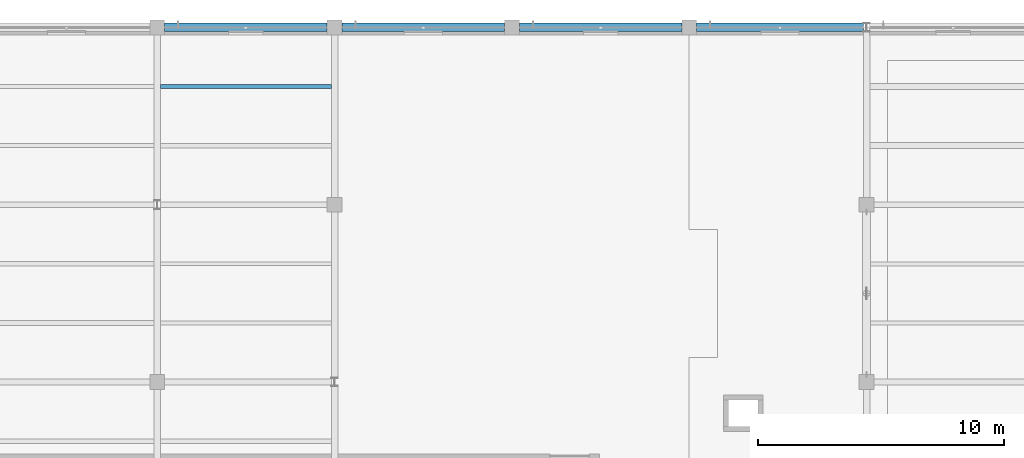
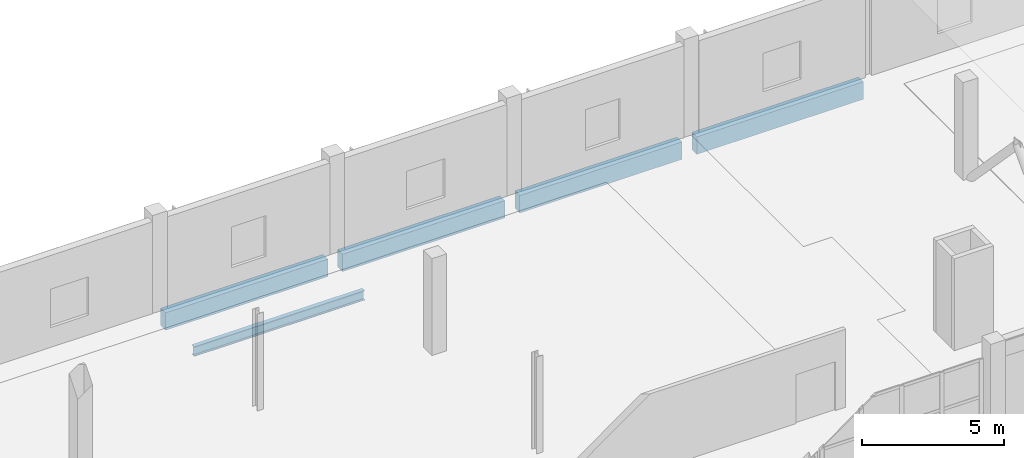
# One storey, part 45 of 94: 5 beams.
"""IFC4 building model written with IfcOpenShell, lengths in metres."""

from ifc_helpers import new_model, si_unit, direction, frame, origin, origin_2d, place, context, subcontext, project, spatial, rectangle, i_section, extrude, material, material_profile, profile_set, type_object, element, save


model = new_model("IFC4")

# Units and contexts
model_context = context("Model", 3, precision=1e-05, world=origin(), true_north=direction((0.0, 1.0)))
body_context = subcontext(model_context, "Body", "Model", "MODEL_VIEW")
ifc_project = project(units=[si_unit("LENGTHUNIT", "METRE"), si_unit("AREAUNIT", "SQUARE_METRE"), si_unit("VOLUMEUNIT", "CUBIC_METRE"), si_unit("PLANEANGLEUNIT", "RADIAN"), si_unit("MASSUNIT", "GRAM", prefix="KILO")], contexts=[model_context])

# Site, building, storey
site_placement = place(None, origin())
site = spatial("IfcSite", under=ifc_project, at=site_placement, CompositionType="ELEMENT")
building_placement = place(site_placement, origin())
building = spatial("IfcBuilding", under=site, at=building_placement, Name="Kalmorath City Hall", CompositionType="ELEMENT")
storey_placement = place(building_placement, frame((0.0, 0.0, 14.699951171875)))
storey = spatial("IfcBuildingStorey", under=building, at=storey_placement, Name="L03", CompositionType="ELEMENT", Elevation=14.699951171875)

# Beams
ifc_material_1 = material(Name="Precast concrete C40/50", Category="concrete")
ifc_material_profile_1 = material_profile(ifc_material_1, rectangle(XDim=0.35009765625, YDim=0.75, at=origin_2d()), Name="PC-SP-350X750")
ifc_profile_set_1 = profile_set([ifc_material_profile_1], Name="Precast concrete C40/50")
beam_type_1 = type_object("IfcBeamType", Name="Precast spandrel lintel 350x750", PredefinedType="LINTEL", material=ifc_profile_set_1)
beam_1_placement = place(storey_placement, frame((36.300048828125, 115.199951171875, -0.638916015625), z_axis=(1.0, 0.0, 0.0), x_axis=(0.0, 1.0, 0.0)))
element("IfcBeam", 1, at=beam_1_placement, inside=storey, type_object=beam_type_1, Name="L03 girder PSB1 X6-7/17", PredefinedType="LINTEL", context=body_context, shape_type="SweptSolid", body=[
    extrude(rectangle(XDim=0.35009765625, YDim=0.75, at=origin_2d()), origin(), (0.0, 0.0, 1.0), 6.599853515625),
])
for number, where, z_axis, x_axis, name in (
    (2, (43.5, 115.199951171875, -0.638916015625), (1.0, 0.0, 0.0), (0.0, 1.0, 0.0), "L03 girder PSB1 X7-8/17"),
    (3, (50.699951171875, 115.199951171875, -0.638916015625), (1.0, 0.0, 0.0), (0.0, 1.0, 0.0), "L03 girder PSB1 X8-9/17"),
):
    element("IfcBeam", number, at=place(storey_placement, frame(where, z_axis=z_axis, x_axis=x_axis)), inside=storey, type_object=beam_type_1, Name=name, PredefinedType="LINTEL", context=body_context, shape_type="SweptSolid", body=[
        extrude(rectangle(XDim=0.35009765625, YDim=0.75, at=origin_2d()), origin(), (0.0, 0.0, 1.0), 6.60009765625),
    ])
beam_2_placement = place(storey_placement, frame((57.89990234375, 115.199951171875, -0.638916015625), z_axis=(1.0, 0.0, 0.0), x_axis=(0.0, 1.0, 0.0)))
element("IfcBeam", 4, at=beam_2_placement, inside=storey, type_object=beam_type_1, Name="L03 girder PSB1 X9-10/17", PredefinedType="LINTEL", context=body_context, shape_type="SweptSolid", body=[
    extrude(rectangle(XDim=0.35009765625, YDim=0.75, at=origin_2d()), origin(), (0.0, 0.0, 1.0), 6.773193359375),
])
ifc_material_2 = material(Name="Steel ASTM A992 Grade 50", Category="steel")
ifc_material_profile_2 = material_profile(ifc_material_2, i_section(OverallWidth=0.180908203125, OverallDepth=0.4169921875, WebThickness=0.010986328125, FlangeThickness=0.018310546875, FilletRadius=0.012939453125, at=origin_2d()), Name="W16X57")
ifc_profile_set_2 = profile_set([ifc_material_profile_2], Name="Steel ASTM A992 Grade 50")
beam_type_2 = type_object("IfcBeamType", Name="Steel composite joist W16X57", PredefinedType="JOIST", material=ifc_profile_set_2)
beam_3_placement = place(storey_placement, frame((36.134033203125, 112.800048828125, -0.472412109375), z_axis=(1.0, 0.0, 0.0), x_axis=(0.0, 1.0, 0.0)))
element("IfcBeam", 5, at=beam_3_placement, inside=storey, type_object=beam_type_2, Name="L03 joist SJ5 6.16.2", PredefinedType="JOIST", context=body_context, shape_type="SweptSolid", body=[
    extrude(i_section(OverallWidth=0.180908203125, OverallDepth=0.4169921875, WebThickness=0.010986328125, FlangeThickness=0.018310546875, FilletRadius=0.012939453125, at=origin_2d()), origin(), (0.0, 0.0, 1.0), 6.931884765625),
])

save(model, "model.ifc")
